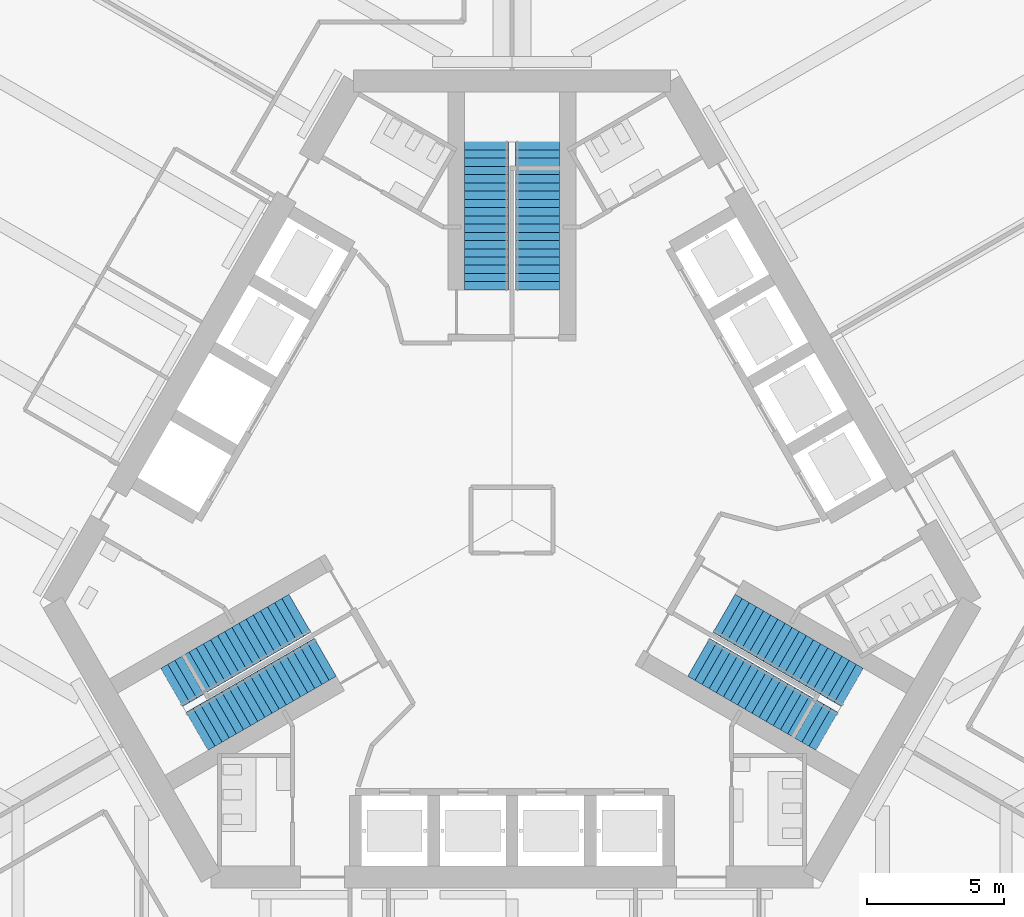
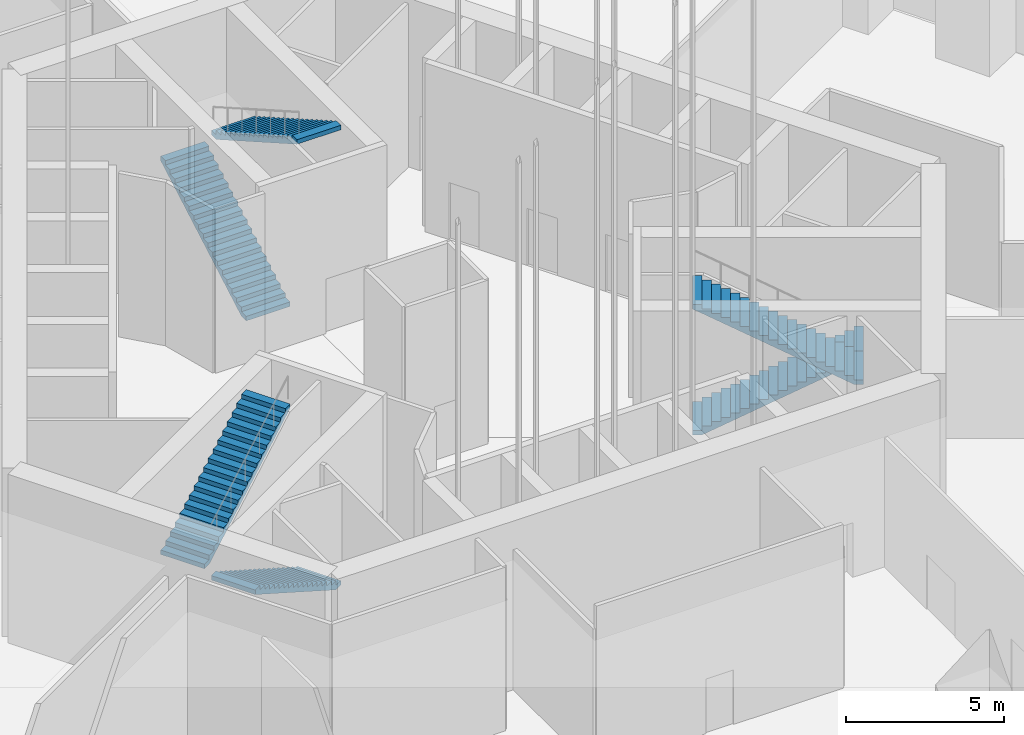
# One storey, part 20 of 43: 6 stair flights, 3 elements without a shape of their own.
"""IFC4 building model written with IfcOpenShell, lengths in metres."""

from ifc_helpers import new_model, si_unit, direction, frame, origin, place, context, subcontext, project, spatial, polyline, outline, extrude, material, type_object, element, aggregate, save


model = new_model("IFC4")

# Units and contexts
model_context = context("Model", 3, precision=1e-05, world=origin(), true_north=direction((0.0, 1.0)))
body_context = subcontext(model_context, "Body", "Model", "MODEL_VIEW")
ifc_project = project(units=[si_unit("LENGTHUNIT", "METRE"), si_unit("AREAUNIT", "SQUARE_METRE"), si_unit("VOLUMEUNIT", "CUBIC_METRE"), si_unit("PLANEANGLEUNIT", "RADIAN"), si_unit("MASSUNIT", "GRAM", prefix="KILO")], contexts=[model_context])

# Site, building, storey
site_placement = place(None, origin())
site = spatial("IfcSite", under=ifc_project, at=site_placement, CompositionType="ELEMENT")
building_placement = place(site_placement, origin())
building = spatial("IfcBuilding", under=site, at=building_placement, Name="Trefoil Bronze Tower", CompositionType="ELEMENT")
storey_placement = place(building_placement, origin())
storey = spatial("IfcBuildingStorey", under=building, at=storey_placement, Name="L00", CompositionType="ELEMENT", Elevation=0.0)

# Stair, stair flights
ifc_material_1 = material(Name="Precast concrete B80", Category="concrete")
stair_type = type_object("IfcStairType", Name="Exit stair 38 risers", PredefinedType="HALF_TURN_STAIR", material=ifc_material_1)
stair_1_placement = place(storey_placement, origin())
stair_1 = element("IfcStair", 1, at=stair_1_placement, inside=storey, type_object=stair_type, Name="Stair ST1 L00", PredefinedType="HALF_TURN_STAIR")
ifc_material_2 = material(Name="Precast concrete B80", Category="concrete")
stair_flight_type = type_object("IfcStairFlightType", Name="Stair flight 1600", PredefinedType="STRAIGHT", material=ifc_material_2)
stair_flight_1_placement = place(storey_placement, frame((7.728515625, -3.39404296875, 0.0), z_axis=(0.0, 0.0, 1.0), x_axis=(0.866025403784, -0.5, 0.0)))
stair_flight_1 = element("IfcStairFlight", 2, at=stair_flight_1_placement, type_object=stair_flight_type, Name="ST1 flight 1", NumberOfRisers=19, NumberOfTreads=18, PredefinedType="STRAIGHT", RiserHeight=0.171052632, TreadLength=0.3, context=body_context, shape_type="SweptSolid", body=[
    extrude(outline(polyline([(0.0, 0.0), (0.0, 0.171142578125), (0.300048828125, 0.171142578125), (0.300048828125, 0.342041015625), (0.60009765625, 0.342041015625), (0.60009765625, 0.51318359375), (0.89990234375, 0.51318359375), (0.89990234375, 0.684326171875), (1.199951171875, 0.684326171875), (1.199951171875, 0.855224609375), (1.5, 0.855224609375), (1.5, 1.0263671875), (1.800048828125, 1.0263671875), (1.800048828125, 1.197265625), (2.10009765625, 1.197265625), (2.10009765625, 1.368408203125), (2.39990234375, 1.368408203125), (2.39990234375, 1.53955078125), (2.699951171875, 1.53955078125), (2.699951171875, 1.71044921875), (3.0, 1.71044921875), (3.0, 1.881591796875), (3.300048828125, 1.881591796875), (3.300048828125, 2.052734375), (3.60009765625, 2.052734375), (3.60009765625, 2.2236328125), (3.89990234375, 2.2236328125), (3.89990234375, 2.394775390625), (4.199951171875, 2.394775390625), (4.199951171875, 2.565673828125), (4.5, 2.565673828125), (4.5, 2.73681640625), (4.800048828125, 2.73681640625), (4.800048828125, 2.907958984375), (5.10009765625, 2.907958984375), (5.10009765625, 3.078857421875), (5.39990234375, 3.078857421875), (5.39990234375, 3.25), (5.39990234375, 2.906494140625), (0.302734375, 0.0), (0.0, 0.0)])), frame((0.0, 0.800048828125, 0.0), z_axis=(0.0, -1.0, 0.0), x_axis=(1.0, 0.0, 0.0)), (0.0, 0.0, 1.0), 1.60009765625),
])
stair_flight_2_placement = place(storey_placement, frame((11.47998046875, -7.696044921875, 3.25), z_axis=(0.0, 0.0, 1.0), x_axis=(-0.866025403784, 0.5, 0.0)))
stair_flight_2 = element("IfcStairFlight", 3, at=stair_flight_2_placement, type_object=stair_flight_type, Name="ST1 flight 2", NumberOfRisers=19, NumberOfTreads=18, PredefinedType="STRAIGHT", RiserHeight=0.171052632, TreadLength=0.3, context=body_context, shape_type="SweptSolid", body=[
    extrude(outline(polyline([(0.0, 0.0), (0.0, 0.171142578125), (0.300048828125, 0.171142578125), (0.300048828125, 0.342041015625), (0.60009765625, 0.342041015625), (0.60009765625, 0.51318359375), (0.89990234375, 0.51318359375), (0.89990234375, 0.684326171875), (1.199951171875, 0.684326171875), (1.199951171875, 0.855224609375), (1.5, 0.855224609375), (1.5, 1.0263671875), (1.800048828125, 1.0263671875), (1.800048828125, 1.197265625), (2.10009765625, 1.197265625), (2.10009765625, 1.368408203125), (2.39990234375, 1.368408203125), (2.39990234375, 1.53955078125), (2.699951171875, 1.53955078125), (2.699951171875, 1.71044921875), (3.0, 1.71044921875), (3.0, 1.881591796875), (3.300048828125, 1.881591796875), (3.300048828125, 2.052734375), (3.60009765625, 2.052734375), (3.60009765625, 2.2236328125), (3.89990234375, 2.2236328125), (3.89990234375, 2.394775390625), (4.199951171875, 2.394775390625), (4.199951171875, 2.565673828125), (4.5, 2.565673828125), (4.5, 2.73681640625), (4.800048828125, 2.73681640625), (4.800048828125, 2.907958984375), (5.10009765625, 2.907958984375), (5.10009765625, 3.078857421875), (5.39990234375, 3.078857421875), (5.39990234375, 3.25), (5.39990234375, 2.906494140625), (0.302734375, 0.0), (0.0, 0.0)])), frame((0.0, 0.800048828125, 0.0), z_axis=(0.0, -1.0, 0.0), x_axis=(1.0, 0.0, 0.0)), (0.0, 0.0, 1.0), 1.60009765625),
])
aggregate(stair_1, [stair_flight_1, stair_flight_2])

stair_2_placement = place(storey_placement, origin())
stair_2 = element("IfcStair", 4, at=stair_2_placement, inside=storey, type_object=stair_type, Name="Stair ST2 L00", PredefinedType="HALF_TURN_STAIR")
stair_flight_3_placement = place(storey_placement, frame((-0.925048828125, 8.389892578125, 0.0), z_axis=(0.0, 0.0, 1.0), x_axis=(0.0, 1.0, 0.0)))
stair_flight_3 = element("IfcStairFlight", 5, at=stair_flight_3_placement, type_object=stair_flight_type, Name="ST2 flight 1", NumberOfRisers=19, NumberOfTreads=18, PredefinedType="STRAIGHT", RiserHeight=0.171052632, TreadLength=0.3, context=body_context, shape_type="SweptSolid", body=[
    extrude(outline(polyline([(0.0, 0.0), (0.0, 0.171142578125), (0.300048828125, 0.171142578125), (0.300048828125, 0.342041015625), (0.60009765625, 0.342041015625), (0.60009765625, 0.51318359375), (0.89990234375, 0.51318359375), (0.89990234375, 0.684326171875), (1.199951171875, 0.684326171875), (1.199951171875, 0.855224609375), (1.5, 0.855224609375), (1.5, 1.0263671875), (1.800048828125, 1.0263671875), (1.800048828125, 1.197265625), (2.10009765625, 1.197265625), (2.10009765625, 1.368408203125), (2.39990234375, 1.368408203125), (2.39990234375, 1.53955078125), (2.699951171875, 1.53955078125), (2.699951171875, 1.71044921875), (3.0, 1.71044921875), (3.0, 1.881591796875), (3.300048828125, 1.881591796875), (3.300048828125, 2.052734375), (3.60009765625, 2.052734375), (3.60009765625, 2.2236328125), (3.89990234375, 2.2236328125), (3.89990234375, 2.394775390625), (4.199951171875, 2.394775390625), (4.199951171875, 2.565673828125), (4.5, 2.565673828125), (4.5, 2.73681640625), (4.800048828125, 2.73681640625), (4.800048828125, 2.907958984375), (5.10009765625, 2.907958984375), (5.10009765625, 3.078857421875), (5.39990234375, 3.078857421875), (5.39990234375, 3.25), (5.39990234375, 2.906494140625), (0.302734375, 0.0), (0.0, 0.0)])), frame((0.0, 0.800048828125, 0.0), z_axis=(0.0, -1.0, 0.0), x_axis=(1.0, 0.0, 0.0)), (0.0, 0.0, 1.0), 1.60009765625),
])
stair_flight_4_placement = place(storey_placement, frame((0.925048828125, 13.7900390625, 3.25), z_axis=(0.0, 0.0, 1.0), x_axis=(0.0, -1.0, 0.0)))
stair_flight_4 = element("IfcStairFlight", 6, at=stair_flight_4_placement, type_object=stair_flight_type, Name="ST2 flight 2", NumberOfRisers=19, NumberOfTreads=18, PredefinedType="STRAIGHT", RiserHeight=0.171052632, TreadLength=0.3, context=body_context, shape_type="SweptSolid", body=[
    extrude(outline(polyline([(0.0, 0.0), (0.0, 0.171142578125), (0.300048828125, 0.171142578125), (0.300048828125, 0.342041015625), (0.60009765625, 0.342041015625), (0.60009765625, 0.51318359375), (0.89990234375, 0.51318359375), (0.89990234375, 0.684326171875), (1.199951171875, 0.684326171875), (1.199951171875, 0.855224609375), (1.5, 0.855224609375), (1.5, 1.0263671875), (1.800048828125, 1.0263671875), (1.800048828125, 1.197265625), (2.10009765625, 1.197265625), (2.10009765625, 1.368408203125), (2.39990234375, 1.368408203125), (2.39990234375, 1.53955078125), (2.699951171875, 1.53955078125), (2.699951171875, 1.71044921875), (3.0, 1.71044921875), (3.0, 1.881591796875), (3.300048828125, 1.881591796875), (3.300048828125, 2.052734375), (3.60009765625, 2.052734375), (3.60009765625, 2.2236328125), (3.89990234375, 2.2236328125), (3.89990234375, 2.394775390625), (4.199951171875, 2.394775390625), (4.199951171875, 2.565673828125), (4.5, 2.565673828125), (4.5, 2.73681640625), (4.800048828125, 2.73681640625), (4.800048828125, 2.907958984375), (5.10009765625, 2.907958984375), (5.10009765625, 3.078857421875), (5.39990234375, 3.078857421875), (5.39990234375, 3.25), (5.39990234375, 2.906494140625), (0.302734375, 0.0), (0.0, 0.0)])), frame((0.0, 0.800048828125, 0.0), z_axis=(0.0, -1.0, 0.0), x_axis=(1.0, 0.0, 0.0)), (0.0, 0.0, 1.0), 1.60009765625),
])
aggregate(stair_2, [stair_flight_3, stair_flight_4])

stair_3_placement = place(storey_placement, origin())
stair_3 = element("IfcStair", 7, at=stair_3_placement, inside=storey, type_object=stair_type, Name="Stair ST3 L00", PredefinedType="HALF_TURN_STAIR")
stair_flight_5_placement = place(storey_placement, frame((-6.803466796875, -4.99609375, 0.0), z_axis=(0.0, 0.0, 1.0), x_axis=(-0.866025403784, -0.5, 0.0)))
stair_flight_5 = element("IfcStairFlight", 8, at=stair_flight_5_placement, type_object=stair_flight_type, Name="ST3 flight 1", NumberOfRisers=19, NumberOfTreads=18, PredefinedType="STRAIGHT", RiserHeight=0.171052632, TreadLength=0.3, context=body_context, shape_type="SweptSolid", body=[
    extrude(outline(polyline([(0.0, 0.0), (0.0, 0.171142578125), (0.300048828125, 0.171142578125), (0.300048828125, 0.342041015625), (0.60009765625, 0.342041015625), (0.60009765625, 0.51318359375), (0.89990234375, 0.51318359375), (0.89990234375, 0.684326171875), (1.199951171875, 0.684326171875), (1.199951171875, 0.855224609375), (1.5, 0.855224609375), (1.5, 1.0263671875), (1.800048828125, 1.0263671875), (1.800048828125, 1.197265625), (2.10009765625, 1.197265625), (2.10009765625, 1.368408203125), (2.39990234375, 1.368408203125), (2.39990234375, 1.53955078125), (2.699951171875, 1.53955078125), (2.699951171875, 1.71044921875), (3.0, 1.71044921875), (3.0, 1.881591796875), (3.300048828125, 1.881591796875), (3.300048828125, 2.052734375), (3.60009765625, 2.052734375), (3.60009765625, 2.2236328125), (3.89990234375, 2.2236328125), (3.89990234375, 2.394775390625), (4.199951171875, 2.394775390625), (4.199951171875, 2.565673828125), (4.5, 2.565673828125), (4.5, 2.73681640625), (4.800048828125, 2.73681640625), (4.800048828125, 2.907958984375), (5.10009765625, 2.907958984375), (5.10009765625, 3.078857421875), (5.39990234375, 3.078857421875), (5.39990234375, 3.25), (5.39990234375, 2.906494140625), (0.302734375, 0.0), (0.0, 0.0)])), frame((0.0, 0.800048828125, 0.0), z_axis=(0.0, -1.0, 0.0), x_axis=(1.0, 0.0, 0.0)), (0.0, 0.0, 1.0), 1.60009765625),
])
stair_flight_6_placement = place(storey_placement, frame((-12.405029296875, -6.093994140625, 3.25), z_axis=(0.0, 0.0, 1.0), x_axis=(0.866025403784, 0.5, 0.0)))
stair_flight_6 = element("IfcStairFlight", 9, at=stair_flight_6_placement, type_object=stair_flight_type, Name="ST3 flight 2", NumberOfRisers=19, NumberOfTreads=18, PredefinedType="STRAIGHT", RiserHeight=0.171052632, TreadLength=0.3, context=body_context, shape_type="SweptSolid", body=[
    extrude(outline(polyline([(0.0, 0.0), (0.0, 0.171142578125), (0.300048828125, 0.171142578125), (0.300048828125, 0.342041015625), (0.60009765625, 0.342041015625), (0.60009765625, 0.51318359375), (0.89990234375, 0.51318359375), (0.89990234375, 0.684326171875), (1.199951171875, 0.684326171875), (1.199951171875, 0.855224609375), (1.5, 0.855224609375), (1.5, 1.0263671875), (1.800048828125, 1.0263671875), (1.800048828125, 1.197265625), (2.10009765625, 1.197265625), (2.10009765625, 1.368408203125), (2.39990234375, 1.368408203125), (2.39990234375, 1.53955078125), (2.699951171875, 1.53955078125), (2.699951171875, 1.71044921875), (3.0, 1.71044921875), (3.0, 1.881591796875), (3.300048828125, 1.881591796875), (3.300048828125, 2.052734375), (3.60009765625, 2.052734375), (3.60009765625, 2.2236328125), (3.89990234375, 2.2236328125), (3.89990234375, 2.394775390625), (4.199951171875, 2.394775390625), (4.199951171875, 2.565673828125), (4.5, 2.565673828125), (4.5, 2.73681640625), (4.800048828125, 2.73681640625), (4.800048828125, 2.907958984375), (5.10009765625, 2.907958984375), (5.10009765625, 3.078857421875), (5.39990234375, 3.078857421875), (5.39990234375, 3.25), (5.39990234375, 2.906494140625), (0.302734375, 0.0), (0.0, 0.0)])), frame((0.0, 0.800048828125, 0.0), z_axis=(0.0, -1.0, 0.0), x_axis=(1.0, 0.0, 0.0)), (0.0, 0.0, 1.0), 1.60009765625),
])
aggregate(stair_3, [stair_flight_5, stair_flight_6])

save(model, "model.ifc")
